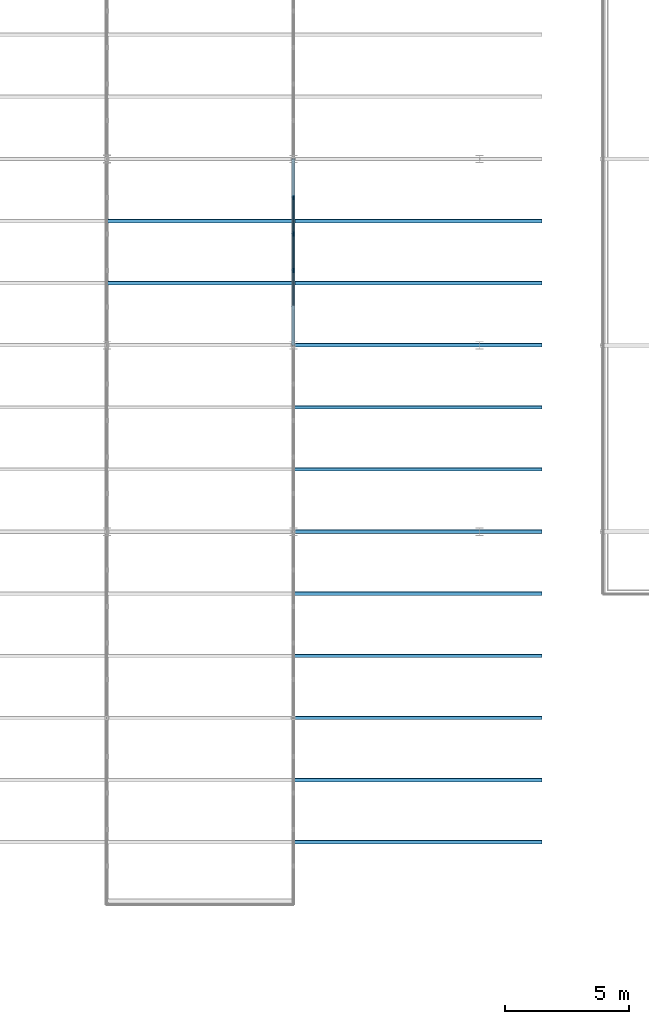
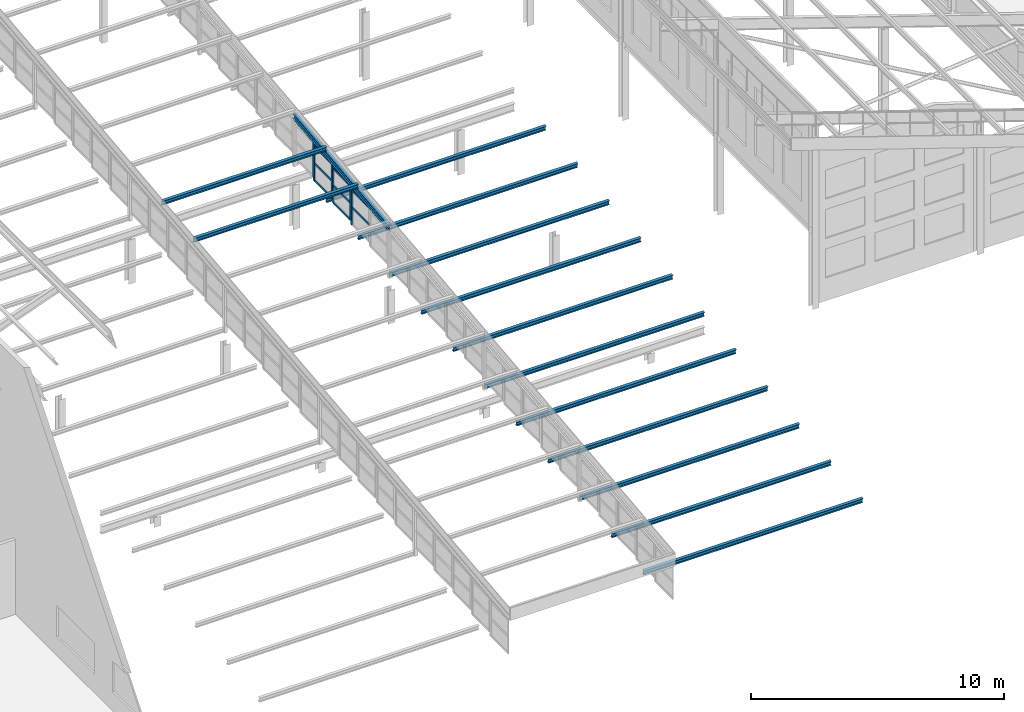
# One storey, part 57 of 483: 27 members, 1 beam, 4 elements without a shape of their own.
"""IFC4 building model written with IfcOpenShell, lengths in metres."""

from ifc_helpers import new_model, si_unit, direction, frame, origin, origin_2d, place, context, subcontext, project, spatial, rectangle, i_section, extrude, material, material_profile, profile_set, type_object, element, aggregate, save


model = new_model("IFC4")

# Units and contexts
model_context = context("Model", 3, precision=1e-05, world=origin(), true_north=direction((0.0, 1.0)))
body_context = subcontext(model_context, "Body", "Model", "MODEL_VIEW")
ifc_project = project(units=[si_unit("LENGTHUNIT", "METRE"), si_unit("AREAUNIT", "SQUARE_METRE"), si_unit("VOLUMEUNIT", "CUBIC_METRE"), si_unit("PLANEANGLEUNIT", "RADIAN"), si_unit("MASSUNIT", "GRAM", prefix="KILO")], contexts=[model_context])

# Site, building, storey
site_placement = place(None, origin())
site = spatial("IfcSite", under=ifc_project, at=site_placement, CompositionType="ELEMENT")
building_placement = place(site_placement, origin())
building = spatial("IfcBuilding", under=site, at=building_placement, Name="Parallax Yard Mobility Hub", CompositionType="ELEMENT")
storey_placement = place(building_placement, frame((0.0, 0.0, 13.199951171875)))
storey = spatial("IfcBuildingStorey", under=building, at=storey_placement, Name="L04", CompositionType="ELEMENT", Elevation=13.199951171875)

# Beam
ifc_material_1 = material(Name="Steel ASTM A992", Category="steel")
ifc_material_profile_1 = material_profile(ifc_material_1, i_section(OverallWidth=0.14794921875, OverallDepth=0.26611328125, WebThickness=0.007568359375, FlangeThickness=0.012939453125, at=origin_2d()), Name="W250x45")
ifc_profile_set_1 = profile_set([ifc_material_profile_1], Name="Steel ASTM A992")
beam_type = type_object("IfcBeamType", Name="Monitor girder W250x45", PredefinedType="BEAM", material=ifc_profile_set_1)
beam_placement = place(storey_placement, frame((165.0, 30.0146484375, 4.516357421875), z_axis=(0.0, 0.993881367159, 0.110452831624), x_axis=(-1.0, 0.0, 0.0)))
element("IfcBeam", 1, at=beam_placement, inside=storey, type_object=beam_type, Name="Monitor girder at x 165 bay 4", PredefinedType="BEAM", context=body_context, shape_type="SweptSolid", body=[
    extrude(i_section(OverallWidth=0.14794921875, OverallDepth=0.26611328125, WebThickness=0.007568359375, FlangeThickness=0.012939453125, at=origin_2d()), origin(), (0.0, 0.0, 1.0), 7.546142578125),
])

# Curtain wall, member
ifc_material_2 = material(Name="Thermally broken aluminium curtain wall system", Category="aluminium")
curtain_wall_type = type_object("IfcCurtainWallType", Name="Clerestory glazing run 60 x 120 frame", PredefinedType="NOTDEFINED", material=ifc_material_2)
curtain_wall_1_placement = place(storey_placement, origin())
curtain_wall_1 = element("IfcCurtainWall", 2, at=curtain_wall_1_placement, inside=storey, type_object=curtain_wall_type, Name="Clerestory glazing run Bicycle and shared-mobility hall roof step 2 bay 4 level L02", PredefinedType="NOTDEFINED")
ifc_material_3 = material(Name="Extruded aluminium", Category="aluminium")
ifc_material_profile_2 = material_profile(ifc_material_3, rectangle(XDim=0.06005859375, YDim=0.1201171875, at=origin_2d()), Name="Mullion 60 x 120")
ifc_profile_set_2 = profile_set([ifc_material_profile_2], Name="Extruded aluminium")
member_type_1 = type_object("IfcMemberType", Name="Mullion 60 x 120", PredefinedType="MULLION", material=ifc_profile_set_2)
member_1_placement = place(storey_placement, frame((165.0, 32.985107421875, 2.8515625), z_axis=(0.0, 0.0, 1.0), x_axis=(-1.0, 0.0, 0.0)))
member_1 = element("IfcMember", 3, at=member_1_placement, type_object=member_type_1, Name="CW4 mullion 2", PredefinedType="MULLION", context=body_context, shape_type="SweptSolid", body=[
    extrude(rectangle(XDim=0.06005859375, YDim=0.1201171875, at=origin_2d()), origin(), (0.0, 0.0, 1.0), 1.69775390625),
])

# Curtain wall, members
curtain_wall_2_placement = place(storey_placement, origin())
curtain_wall_2 = element("IfcCurtainWall", 4, at=curtain_wall_2_placement, inside=storey, type_object=curtain_wall_type, Name="Clerestory glazing run Bicycle and shared-mobility hall roof step 2 bay 4 level L02", PredefinedType="NOTDEFINED")
member_2_placement = place(storey_placement, frame((165.0, 33.045166015625, 3.014892578125), z_axis=(0.0, 0.0, 1.0), x_axis=(-1.0, 0.0, 0.0)))
member_2 = element("IfcMember", 5, at=member_2_placement, type_object=member_type_1, Name="CW4 mullion 1", PredefinedType="MULLION", context=body_context, shape_type="SweptSolid", body=[
    extrude(rectangle(XDim=0.06005859375, YDim=0.1201171875, at=origin_2d()), origin(), (0.0, 0.0, 1.0), 1.700927734375),
])
member_3_placement = place(storey_placement, frame((165.0, 34.454833984375, 3.014892578125), z_axis=(0.0, 0.0, 1.0), x_axis=(-1.0, 0.0, 0.0)))
member_3 = element("IfcMember", 6, at=member_3_placement, type_object=member_type_1, Name="CW4 mullion 2", PredefinedType="MULLION", context=body_context, shape_type="SweptSolid", body=[
    extrude(rectangle(XDim=0.06005859375, YDim=0.1201171875, at=origin_2d()), origin(), (0.0, 0.0, 1.0), 1.700927734375),
])

curtain_wall_3_placement = place(storey_placement, origin())
curtain_wall_3 = element("IfcCurtainWall", 7, at=curtain_wall_3_placement, inside=storey, type_object=curtain_wall_type, Name="Clerestory glazing run Bicycle and shared-mobility hall roof step 2 bay 4 level L02", PredefinedType="NOTDEFINED")
member_4_placement = place(storey_placement, frame((165.0, 34.514892578125, 3.17822265625), z_axis=(0.0, 0.0, 1.0), x_axis=(-1.0, 0.0, 0.0)))
member_4 = element("IfcMember", 8, at=member_4_placement, type_object=member_type_1, Name="CW4 mullion 1", PredefinedType="MULLION", context=body_context, shape_type="SweptSolid", body=[
    extrude(rectangle(XDim=0.06005859375, YDim=0.1201171875, at=origin_2d()), origin(), (0.0, 0.0, 1.0), 1.693115234375),
])
member_5_placement = place(storey_placement, frame((165.0, 35.92431640625, 3.17822265625), z_axis=(0.0, 0.0, 1.0), x_axis=(-1.0, 0.0, 0.0)))
member_5 = element("IfcMember", 9, at=member_5_placement, type_object=member_type_1, Name="CW4 mullion 2", PredefinedType="MULLION", context=body_context, shape_type="SweptSolid", body=[
    extrude(rectangle(XDim=0.06005859375, YDim=0.1201171875, at=origin_2d()), origin(), (0.0, 0.0, 1.0), 1.693115234375),
])

# Curtain wall, member
curtain_wall_4_placement = place(storey_placement, origin())
curtain_wall_4 = element("IfcCurtainWall", 10, at=curtain_wall_4_placement, inside=storey, type_object=curtain_wall_type, Name="Clerestory glazing run Bicycle and shared-mobility hall roof step 2 bay 4 level L02", PredefinedType="NOTDEFINED")
member_6_placement = place(storey_placement, frame((165.0, 35.984375, 3.341552734375), z_axis=(0.0, 0.0, 1.0), x_axis=(-1.0, 0.0, 0.0)))
member_6 = element("IfcMember", 11, at=member_6_placement, type_object=member_type_1, Name="CW4 mullion 1", PredefinedType="MULLION", context=body_context, shape_type="SweptSolid", body=[
    extrude(rectangle(XDim=0.06005859375, YDim=0.1201171875, at=origin_2d()), origin(), (0.0, 0.0, 1.0), 1.696533203125),
])
aggregate(curtain_wall_4, [member_6])

# Members
ifc_material_profile_3 = material_profile(ifc_material_1, i_section(OverallWidth=0.133056640625, OverallDepth=0.20703125, WebThickness=0.005859375, FlangeThickness=0.00830078125, at=origin_2d()), Name="W200x27")
ifc_profile_set_3 = profile_set([ifc_material_profile_3], Name="Steel ASTM A992")
member_type_2 = type_object("IfcMemberType", Name="Roof purlin W200x27", PredefinedType="PURLIN", material=ifc_profile_set_3)
for number, where, z_axis, x_axis, name in (
    (12, (165.0, 10.011474609375, 0.030517578125), (1.0, 0.0, 0.0), (0.0, 0.993883718765, 0.110431669255), "Roof purlin east of the monitor at y 10"),
    (13, (165.0, 12.511474609375, 0.308349609375), (1.0, 0.0, 0.0), (0.0, 0.993883718765, 0.110431669255), "Roof purlin east of the monitor at y 12.5"),
    (14, (165.0, 15.011474609375, 0.5859375), (1.0, 0.0, 0.0), (0.0, 0.993883718765, 0.110431669255), "Roof purlin east of the monitor at y 15"),
    (15, (165.0, 17.511474609375, 0.86376953125), (1.0, 0.0, 0.0), (0.0, 0.993883718765, 0.110431669255), "Roof purlin east of the monitor at y 17.5"),
    (16, (165.0, 20.011474609375, 1.1416015625), (1.0, 0.0, 0.0), (0.0, 0.993883718765, 0.110431669255), "Roof purlin east of the monitor at y 20"),
    (17, (165.0, 22.511474609375, 1.41943359375), (1.0, 0.0, 0.0), (0.0, 0.993883718765, 0.110431669255), "Roof purlin east of the monitor at y 22.5"),
    (18, (165.0, 25.011474609375, 1.697265625), (1.0, 0.0, 0.0), (0.0, 0.993883718765, 0.110431669255), "Roof purlin east of the monitor at y 25"),
    (19, (165.0, 27.511474609375, 1.974853515625), (1.0, 0.0, 0.0), (0.0, 0.993883718765, 0.110431669255), "Roof purlin east of the monitor at y 27.5"),
    (20, (165.0, 30.011474609375, 2.252685546875), (1.0, 0.0, 0.0), (0.0, 0.993883718765, 0.110431669255), "Roof purlin east of the monitor at y 30"),
    (21, (165.0, 32.511474609375, 2.530517578125), (1.0, 0.0, 0.0), (0.0, 0.993883718765, 0.110431669255), "Roof purlin east of the monitor at y 32.5"),
    (22, (165.0, 35.011474609375, 2.808349609375), (1.0, 0.0, 0.0), (0.0, 0.993883718765, 0.110431669255), "Roof purlin east of the monitor at y 35"),
):
    element("IfcMember", number, at=place(storey_placement, frame(where, z_axis=z_axis, x_axis=x_axis)), inside=storey, type_object=member_type_2, Name=name, PredefinedType="PURLIN", context=body_context, shape_type="SweptSolid", body=[
        extrude(i_section(OverallWidth=0.133056640625, OverallDepth=0.20703125, WebThickness=0.005859375, FlangeThickness=0.00830078125, at=origin_2d()), origin(), (0.0, 0.0, 1.0), 10.0),
    ])
for number, where, z_axis, x_axis, name in (
    (23, (157.5, 32.511474609375, 5.030517578125), (1.0, 0.0, 0.0), (0.0, 0.993883718765, 0.110431669255), "Monitor purlin at y 32.5"),
    (24, (157.5, 35.011474609375, 5.308349609375), (1.0, 0.0, 0.0), (0.0, 0.993883718765, 0.110431669255), "Monitor purlin at y 35"),
):
    element("IfcMember", number, at=place(storey_placement, frame(where, z_axis=z_axis, x_axis=x_axis)), inside=storey, type_object=member_type_2, Name=name, PredefinedType="PURLIN", context=body_context, shape_type="SweptSolid", body=[
        extrude(i_section(OverallWidth=0.133056640625, OverallDepth=0.20703125, WebThickness=0.005859375, FlangeThickness=0.00830078125, at=origin_2d()), origin(), (0.0, 0.0, 1.0), 7.5),
    ])

# Member
ifc_material_profile_4 = material_profile(ifc_material_3, rectangle(XDim=0.06005859375, YDim=0.10009765625, at=origin_2d()), Name="Transom 60 x 100")
ifc_profile_set_4 = profile_set([ifc_material_profile_4], Name="Extruded aluminium")
member_type_3 = type_object("IfcMemberType", Name="Transom 60 x 100", PredefinedType="USERDEFINED", material=ifc_profile_set_4)
member_7_placement = place(storey_placement, frame((165.0, 31.605712890625, 3.700439453125), z_axis=(0.0, 1.0, 0.0), x_axis=(-1.0, 0.0, 0.0)))
member_7 = element("IfcMember", 25, at=member_7_placement, type_object=member_type_3, Name="CW4 transom 1.2", ObjectType="TRANSOM", PredefinedType="USERDEFINED", context=body_context, shape_type="SweptSolid", body=[
    extrude(rectangle(XDim=0.06005859375, YDim=0.10009765625, at=origin_2d()), origin(), (0.0, 0.0, 1.0), 1.349365234375),
])

member_8_placement = place(storey_placement, frame((165.0, 31.605712890625, 4.519287109375), z_axis=(0.0, 1.0, 0.0), x_axis=(-1.0, 0.0, 0.0)))
member_8 = element("IfcMember", 26, at=member_8_placement, type_object=member_type_3, Name="CW4 transom 1.3", ObjectType="TRANSOM", PredefinedType="USERDEFINED", context=body_context, shape_type="SweptSolid", body=[
    extrude(rectangle(XDim=0.06005859375, YDim=0.10009765625, at=origin_2d()), origin(), (0.0, 0.0, 1.0), 1.349365234375),
])

aggregate(curtain_wall_1, [member_1, member_7, member_8])

member_9_placement = place(storey_placement, frame((165.0, 33.0751953125, 3.044921875), z_axis=(0.0, 1.0, 0.0), x_axis=(-1.0, 0.0, 0.0)))
member_9 = element("IfcMember", 27, at=member_9_placement, type_object=member_type_3, Name="CW4 transom 1.1", ObjectType="TRANSOM", PredefinedType="USERDEFINED", context=body_context, shape_type="SweptSolid", body=[
    extrude(rectangle(XDim=0.06005859375, YDim=0.10009765625, at=origin_2d()), origin(), (0.0, 0.0, 1.0), 1.349609375),
])

member_10_placement = place(storey_placement, frame((165.0, 33.0751953125, 3.865234375), z_axis=(0.0, 1.0, 0.0), x_axis=(-1.0, 0.0, 0.0)))
member_10 = element("IfcMember", 28, at=member_10_placement, type_object=member_type_3, Name="CW4 transom 1.2", ObjectType="TRANSOM", PredefinedType="USERDEFINED", context=body_context, shape_type="SweptSolid", body=[
    extrude(rectangle(XDim=0.06005859375, YDim=0.10009765625, at=origin_2d()), origin(), (0.0, 0.0, 1.0), 1.349609375),
])

member_11_placement = place(storey_placement, frame((165.0, 33.0751953125, 4.685791015625), z_axis=(0.0, 1.0, 0.0), x_axis=(-1.0, 0.0, 0.0)))
member_11 = element("IfcMember", 29, at=member_11_placement, type_object=member_type_3, Name="CW4 transom 1.3", ObjectType="TRANSOM", PredefinedType="USERDEFINED", context=body_context, shape_type="SweptSolid", body=[
    extrude(rectangle(XDim=0.06005859375, YDim=0.10009765625, at=origin_2d()), origin(), (0.0, 0.0, 1.0), 1.349609375),
])

aggregate(curtain_wall_2, [member_2, member_3, member_9, member_10, member_11])

member_12_placement = place(storey_placement, frame((165.0, 34.544921875, 3.208251953125), z_axis=(0.0, 1.0, 0.0), x_axis=(-1.0, 0.0, 0.0)))
member_12 = element("IfcMember", 30, at=member_12_placement, type_object=member_type_3, Name="CW4 transom 1.1", ObjectType="TRANSOM", PredefinedType="USERDEFINED", context=body_context, shape_type="SweptSolid", body=[
    extrude(rectangle(XDim=0.06005859375, YDim=0.10009765625, at=origin_2d()), origin(), (0.0, 0.0, 1.0), 1.349365234375),
])

member_13_placement = place(storey_placement, frame((165.0, 34.544921875, 4.02490234375), z_axis=(0.0, 1.0, 0.0), x_axis=(-1.0, 0.0, 0.0)))
member_13 = element("IfcMember", 31, at=member_13_placement, type_object=member_type_3, Name="CW4 transom 1.2", ObjectType="TRANSOM", PredefinedType="USERDEFINED", context=body_context, shape_type="SweptSolid", body=[
    extrude(rectangle(XDim=0.06005859375, YDim=0.10009765625, at=origin_2d()), origin(), (0.0, 0.0, 1.0), 1.349365234375),
])

member_14_placement = place(storey_placement, frame((165.0, 34.544921875, 4.841552734375), z_axis=(0.0, 1.0, 0.0), x_axis=(-1.0, 0.0, 0.0)))
member_14 = element("IfcMember", 32, at=member_14_placement, type_object=member_type_3, Name="CW4 transom 1.3", ObjectType="TRANSOM", PredefinedType="USERDEFINED", context=body_context, shape_type="SweptSolid", body=[
    extrude(rectangle(XDim=0.06005859375, YDim=0.10009765625, at=origin_2d()), origin(), (0.0, 0.0, 1.0), 1.349365234375),
])

aggregate(curtain_wall_3, [member_4, member_5, member_12, member_13, member_14])

save(model, "model.ifc")
